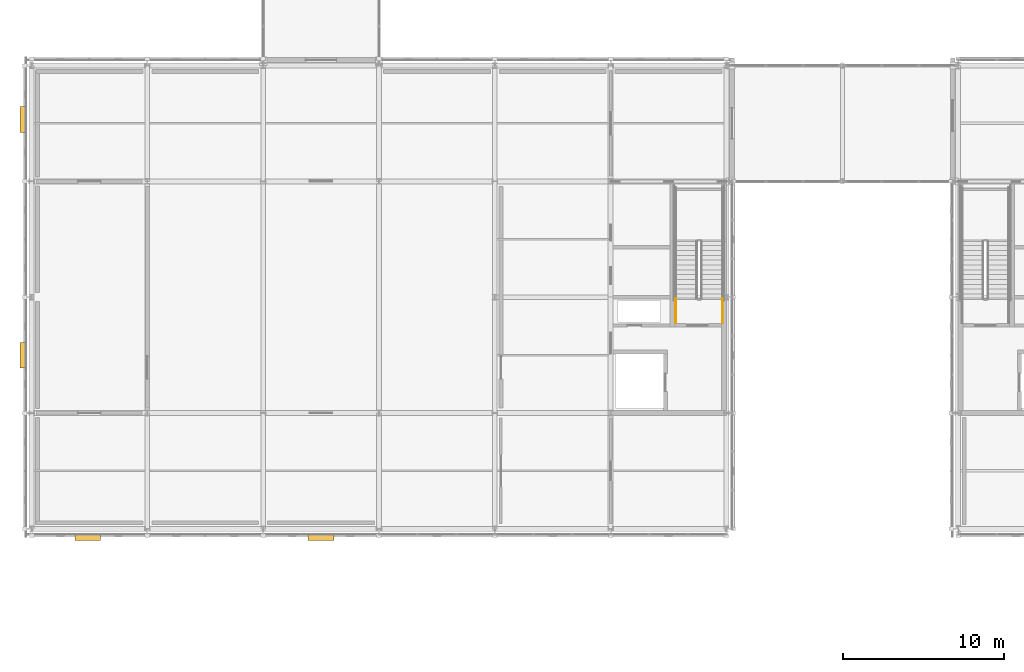
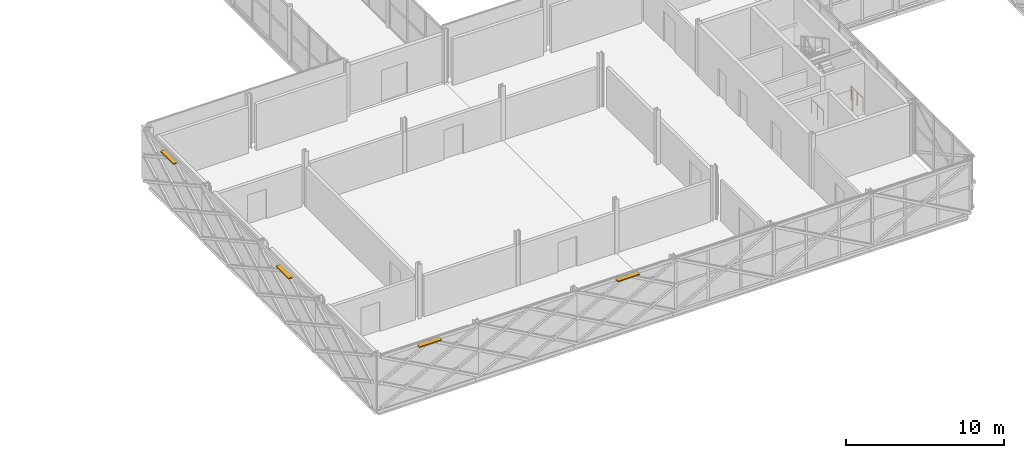
# One storey, part 134 of 146: 4 shading devices, 2 railings.
"""IFC4 building model written with IfcOpenShell, lengths in metres."""

import ifcopenshell
import ifcopenshell.guid

model = None  # the IFC model being written
_history = None  # IfcOwnerHistory: only IFC2X3 demands one
_inside = {}  # id of a spatial element -> (the spatial element, [elements in it])
_under = {}  # id of a project, library or spatial element -> (it, [spatial elements below it])
_declared = {}  # id of a project -> (the project, [libraries it declares])
_typed = {}  # id of a type object -> (the type object, [elements of that type])
_made_of = {}  # id of a material, layer set ... -> (it, [elements and type objects made of it])


def new_model(schema):
    """Start an empty IFC model of exactly this schema.

    Asked for "IFC4X3", IfcOpenShell would pick the latest addendum, in which some entities
    have other attributes; the version numbers below select the first issue.
    IFC2X3 requires an IfcOwnerHistory on every rooted entity: one is made here for all.
    """
    global model, _history
    if schema == "IFC4X3":
        model = ifcopenshell.file(schema_version=(4, 3, 0, 0))
    else:
        model = ifcopenshell.file(schema=schema)
    _inside.clear()
    _under.clear()
    _declared.clear()
    _typed.clear()
    _made_of.clear()
    _history = None
    if model.schema == "IFC2X3":
        org = make("IfcOrganization", Name="unknown")
        user = make(
            "IfcPersonAndOrganization",
            ThePerson=make("IfcPerson", FamilyName="unknown"),
            TheOrganization=org,
        )
        app = make(
            "IfcApplication",
            ApplicationDeveloper=org,
            Version="unknown",
            ApplicationFullName="unknown",
            ApplicationIdentifier="unknown",
        )
        _history = make(
            "IfcOwnerHistory",
            OwningUser=user,
            OwningApplication=app,
            ChangeAction="ADDED",
            CreationDate=0,
        )
    return model


def make(cls, **values):
    """One entity of the class cls with the attributes given. An attribute that is None is left unset."""
    return model.create_entity(
        cls, **{name: value for name, value in values.items() if value is not None}
    )


def rooted(cls, **values):
    """An entity with a GlobalId (a new one), such as an element, a storey or a relation."""
    return make(cls, GlobalId=ifcopenshell.guid.new(), OwnerHistory=_history, **values)


def si_unit(unit_type, name, prefix=None):
    """IfcSIUnit, for example si_unit("LENGTHUNIT", "METRE", prefix="MILLI")."""
    return make("IfcSIUnit", UnitType=unit_type, Prefix=prefix, Name=name)


def assignment(units):
    """IfcUnitAssignment: the units of a project."""
    return None if units is None else make("IfcUnitAssignment", Units=units)


def point(xyz):
    """IfcCartesianPoint."""
    return None if xyz is None else make("IfcCartesianPoint", Coordinates=xyz)


def direction(xyz):
    """IfcDirection."""
    return None if xyz is None else make("IfcDirection", DirectionRatios=xyz)


def frame(location, z_axis=None, x_axis=None):
    """IfcAxis2Placement3D, a coordinate frame: its origin and axes. An axis left out is left unset."""
    return make(
        "IfcAxis2Placement3D",
        Location=point(location),
        Axis=direction(z_axis),
        RefDirection=direction(x_axis),
    )


def frame_2d(location, x_axis=None):
    """IfcAxis2Placement2D, a coordinate frame in the plane: its origin and x axis."""
    return make(
        "IfcAxis2Placement2D", Location=point(location), RefDirection=direction(x_axis)
    )


def origin():
    """The frame at (0, 0, 0) with its axes left unset."""
    return frame((0.0, 0.0, 0.0))


def origin_2d():
    """The frame at (0, 0) in the plane with its x axis left unset."""
    return frame_2d((0.0, 0.0))


def place(relative_to, where):
    """IfcLocalPlacement: puts the frame where relative to a parent placement (None: the world)."""
    return make(
        "IfcLocalPlacement", PlacementRelTo=relative_to, RelativePlacement=where
    )


def context(
    kind, dimensions, precision=None, world=None, true_north=None, identifier=None
):
    """IfcGeometricRepresentationContext, for example the 3D "Model" context."""
    return make(
        "IfcGeometricRepresentationContext",
        ContextIdentifier=identifier,
        ContextType=kind,
        CoordinateSpaceDimension=dimensions,
        Precision=precision,
        WorldCoordinateSystem=world,
        TrueNorth=true_north,
    )


def subcontext(parent, identifier, kind, view, scale=None):
    """IfcGeometricRepresentationSubContext, for example "Body" below "Model"."""
    return make(
        "IfcGeometricRepresentationSubContext",
        ContextIdentifier=identifier,
        ContextType=kind,
        ParentContext=parent,
        TargetScale=scale,
        TargetView=view,
    )


def project(units=None, contexts=None):
    """IfcProject with its units and contexts."""
    return rooted(
        "IfcProject",
        Name="project",
        RepresentationContexts=contexts,
        UnitsInContext=assignment(units),
    )


def spatial(cls, under=None, at=None, **own):
    """A site, building, storey or space (cls), placed at a placement, below another one or the project."""
    s = rooted(cls, ObjectPlacement=at, **own)
    if under is not None:
        _under.setdefault(under.id(), (under, []))[1].append(s)
    return s


def profile(cls, at=None, kind="AREA", **sizes):
    """A parametric profile (cls). Its sizes go by their IFC names, for example OverallWidth=200.0."""
    return make(cls, ProfileType=kind, Position=at, **sizes)


def rectangle(**sizes):
    """IfcRectangleProfileDef."""
    return profile("IfcRectangleProfileDef", **sizes)


def circle(**sizes):
    """IfcCircleProfileDef."""
    return profile("IfcCircleProfileDef", **sizes)


def extrude(swept, where, along, depth):
    """IfcExtrudedAreaSolid: the profile swept, set in the frame where, extruded along a direction by depth."""
    return make(
        "IfcExtrudedAreaSolid",
        SweptArea=swept,
        Position=where,
        ExtrudedDirection=direction(along),
        Depth=depth,
    )


def shape(context_of_items, identifier, shape_type, items):
    """IfcShapeRepresentation: the items that make up one representation, for example the "Body"."""
    return make(
        "IfcShapeRepresentation",
        ContextOfItems=context_of_items,
        RepresentationIdentifier=identifier,
        RepresentationType=shape_type,
        Items=items,
    )


def material(Name=None, Category=None):
    """IfcMaterial."""
    return make("IfcMaterial", Name=Name, Category=Category)


def made_of(thing, what):
    """Note that an element or type object is made of a material, layer set ...; save() writes the relation."""
    if what is not None:
        _made_of.setdefault(what.id(), (what, []))[1].append(thing)
    return thing


def type_object(cls, material=None, **own):
    """A type object (cls), such as IfcWallType, which elements share."""
    return made_of(rooted(cls, **own), material)


def element(
    cls,
    number,
    at=None,
    inside=None,
    cuts=None,
    type_object=None,
    material=None,
    context=None,
    identifier="Body",
    shape_type=None,
    held_by="IfcProductDefinitionShape",
    body=None,
    shapes=None,
    **own,
):
    """One element of the class cls, such as IfcWall. Its Tag is "e" and its number.

    at: its placement. inside: the storey or other place that contains it. cuts: it is an
    opening in that element (IfcRelVoidsElement). A single representation is given by context,
    identifier, shape_type and body (its items); several are given by shapes. held_by: the class
    of the entity that holds the representations. save() writes the other relations.
    """
    e = rooted(cls, Tag="e%d" % number, ObjectPlacement=at, **own)
    if body is not None:
        shapes = [shape(context, identifier, shape_type, body)]
    if shapes is not None:
        e.Representation = make(held_by, Representations=shapes)
    if inside is not None:
        _inside.setdefault(inside.id(), (inside, []))[1].append(e)
    if cuts is not None:
        rooted(
            "IfcRelVoidsElement", RelatingBuildingElement=cuts, RelatedOpeningElement=e
        )
    if type_object is not None:
        _typed.setdefault(type_object.id(), (type_object, []))[1].append(e)
    return made_of(e, material)


def aggregate(whole, parts):
    """IfcRelAggregates: a whole, such as a stair, and the parts it consists of."""
    return rooted("IfcRelAggregates", RelatingObject=whole, RelatedObjects=parts)


def save(model, path):
    """Write the relations noted so far, then the file.

    IfcRelAggregates (storeys below a building ...), IfcRelContainedInSpatialStructure (elements
    in a storey), IfcRelDefinesByType, IfcRelAssociatesMaterial and IfcRelDeclares: one each for
    every whole, place, type object, material and project.
    """
    for whole, parts in _under.values():
        aggregate(whole, parts)
    for where, things in _inside.values():
        rooted(
            "IfcRelContainedInSpatialStructure",
            RelatedElements=things,
            RelatingStructure=where,
        )
    for kind, things in _typed.values():
        rooted("IfcRelDefinesByType", RelatedObjects=things, RelatingType=kind)
    for what, things in _made_of.values():
        rooted("IfcRelAssociatesMaterial", RelatedObjects=things, RelatingMaterial=what)
    for by, libraries in _declared.values():
        rooted("IfcRelDeclares", RelatingContext=by, RelatedDefinitions=libraries)
    model.write(path)


model = new_model("IFC4")

# Units and contexts
model_context = context("Model", 3, precision=1e-05, world=origin(), true_north=direction((0.0, 1.0)))
body_context = subcontext(model_context, "Body", "Model", "MODEL_VIEW")
ifc_project = project(units=[si_unit("LENGTHUNIT", "METRE"), si_unit("AREAUNIT", "SQUARE_METRE"), si_unit("VOLUMEUNIT", "CUBIC_METRE"), si_unit("PLANEANGLEUNIT", "RADIAN"), si_unit("MASSUNIT", "GRAM", prefix="KILO")], contexts=[model_context])

# Site, building, storey
site_placement = place(None, origin())
site = spatial("IfcSite", under=ifc_project, at=site_placement, CompositionType="ELEMENT")
building_placement = place(site_placement, origin())
building = spatial("IfcBuilding", under=site, at=building_placement, Name="Zlatovets Crest Museum", CompositionType="ELEMENT")
storey_placement = place(building_placement, frame((0.0, 0.0, 4.5)))
storey = spatial("IfcBuildingStorey", under=building, at=storey_placement, Name="L01", CompositionType="ELEMENT", Elevation=4.5)

# Railings
ifc_material_1 = material(Name="Painted steel safety guardrail", Category="steel")
railing_type = type_object("IfcRailingType", Name="StairGuard_SG01", PredefinedType="GUARDRAIL", material=ifc_material_1)
for number, where, name in (
    (1, (42.949951171875, 12.800048828125, 0.0), "L01 ST3 stair guard 7"),
    (2, (40.050048828125, 12.800048828125, 0.0), "L01 ST3 stair guard 8"),
):
    element("IfcRailing", number, at=place(storey_placement, frame(where)), inside=storey, type_object=railing_type, Name=name, PredefinedType="GUARDRAIL", context=body_context, shape_type="SweptSolid", body=[
        extrude(circle(Radius=0.02392578125, at=origin_2d()), frame((0.0, 0.0, 1.076171875), z_axis=(0.0, 1.0, 0.0), x_axis=(-1.0, 0.0, 0.0)), (0.0, 0.0, 1.0), 1.5),
        extrude(circle(Radius=0.02099609375, at=origin_2d()), origin(), (0.0, 0.0, 1.0), 1.052001953125),
        extrude(circle(Radius=0.02099609375, at=origin_2d()), frame((0.0, 0.75, 0.0)), (0.0, 0.0, 1.0), 1.052001953125),
        extrude(circle(Radius=0.02099609375, at=origin_2d()), frame((0.0, 1.5, 0.0)), (0.0, 0.0, 1.0), 1.052001953125),
    ])

# Shading devices
ifc_material_2 = material(Name="Patinated bronze solar-control louvre", Category="aluminium")
shading_device_type = type_object("IfcShadingDeviceType", Name="SunLouvre_SL01", PredefinedType="JALOUSIE", material=ifc_material_2)
for number, where, z_axis, x_axis, name in (
    (3, (3.5, -0.5400390625, 4.010009765625), (0.0, 0.0, 1.0), (1.0, 0.0, 0.0), "Bronze Solar-Control Louvre Hood"),
    (4, (18.0, -0.5400390625, 4.010009765625), (0.0, 0.0, 1.0), (1.0, 0.0, 0.0), "Bronze Solar-Control Louvre Hood"),
    (5, (-0.5400390625, 25.43994140625, 4.010009765625), (0.0, 0.0, 1.0), (0.0, 1.0, 0.0), "Bronze Solar-Control Louvre Hood"),
    (6, (-0.5400390625, 10.800048828125, 4.010009765625), (0.0, 0.0, 1.0), (0.0, 1.0, 0.0), "Bronze Solar-Control Louvre Hood"),
):
    element("IfcShadingDevice", number, at=place(storey_placement, frame(where, z_axis=z_axis, x_axis=x_axis)), inside=storey, type_object=shading_device_type, Name=name, PredefinedType="JALOUSIE", context=body_context, shape_type="SweptSolid", body=[
        extrude(rectangle(XDim=1.60009765625, YDim=0.35009765625, at=origin_2d()), origin(), (0.0, 0.0, 1.0), 0.080078125),
    ])

save(model, "model.ifc")
